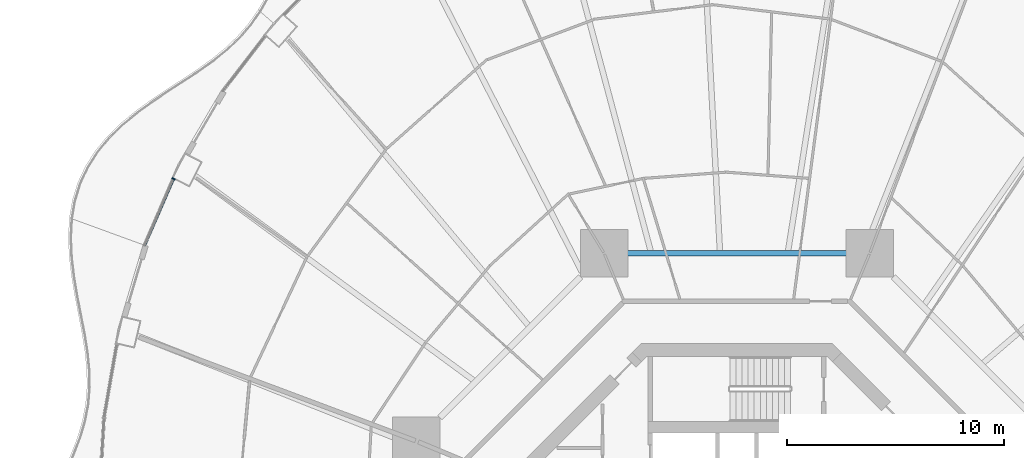
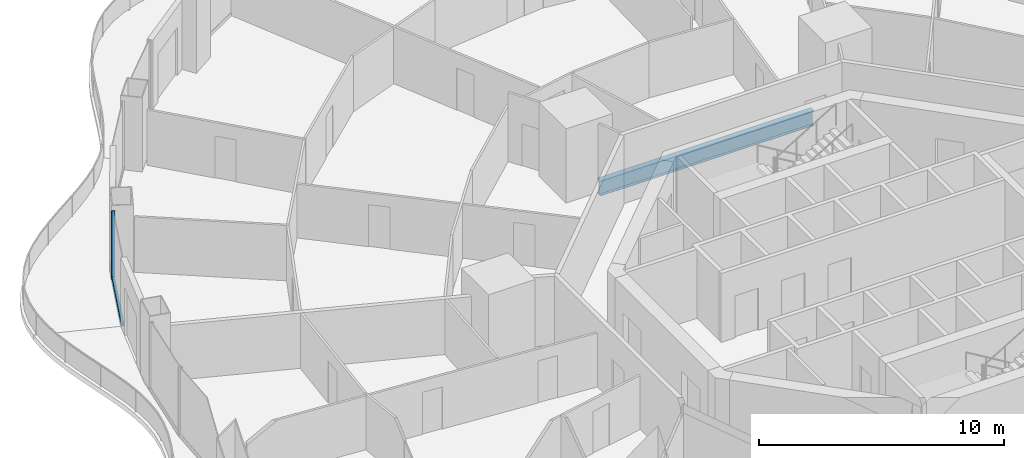
# One storey, part 7 of 22: 2 members, 1 beam, 1 element without a shape of its own.
"""IFC4 building model written with IfcOpenShell, lengths in metres."""

from ifc_helpers import new_model, si_unit, direction, frame, origin, origin_2d, place, context, subcontext, project, spatial, rectangle, i_section, extrude, material, layer, layer_set, material_profile, profile_set, type_object, element, aggregate, save


model = new_model("IFC4")

# Units and contexts
model_context = context("Model", 3, precision=1e-05, world=origin(), true_north=direction((0.0, 1.0)))
body_context = subcontext(model_context, "Body", "Model", "MODEL_VIEW")
ifc_project = project(units=[si_unit("LENGTHUNIT", "METRE"), si_unit("AREAUNIT", "SQUARE_METRE"), si_unit("VOLUMEUNIT", "CUBIC_METRE"), si_unit("PLANEANGLEUNIT", "RADIAN"), si_unit("MASSUNIT", "GRAM", prefix="KILO")], contexts=[model_context])

# Site, building, storey
site_placement = place(None, origin())
site = spatial("IfcSite", under=ifc_project, at=site_placement, CompositionType="ELEMENT")
building_placement = place(site_placement, origin())
building = spatial("IfcBuilding", under=site, at=building_placement, Name="Nagisa Residences", CompositionType="ELEMENT")
storey_placement = place(building_placement, frame((0.0, 0.0, 73.300048828125)))
storey = spatial("IfcBuildingStorey", under=building, at=storey_placement, Name="L17", CompositionType="ELEMENT", Elevation=73.300048828125)

# Curtain wall, members
ifc_material_1 = material(Name="Concrete-coloured aluminium curtain wall system", Category="concrete")
ifc_layer = layer(ifc_material_1, 0.159912109375)
ifc_layer_set = layer_set([ifc_layer], Name="CW1 CURTAIN WALL")
curtain_wall_type = type_object("IfcCurtainWallType", Name="CW1 CURTAIN WALL", PredefinedType="NOTDEFINED", material=ifc_layer_set)
curtain_wall_placement = place(storey_placement, origin())
curtain_wall = element("IfcCurtainWall", 1, at=curtain_wall_placement, inside=storey, type_object=curtain_wall_type, Name="cw:CW1:L17:20", PredefinedType="NOTDEFINED")
ifc_material_2 = material(Name="Concrete-coloured aluminium", Category="concrete")
ifc_material_profile_1 = material_profile(ifc_material_2, rectangle(XDim=0.159912109375, YDim=0.06005859375, at=origin_2d()), Name="CW1 MULLION 160x60")
ifc_profile_set_1 = profile_set([ifc_material_profile_1], Name="Concrete-coloured aluminium")
member_type_1 = type_object("IfcMemberType", Name="CW1 MULLION 160x60", PredefinedType="MULLION", material=ifc_profile_set_1)
member_1_placement = place(storey_placement, frame((-25.9814453125, 18.219482421875, 0.0), z_axis=(0.0, 0.0, 1.0), x_axis=(0.917543276295, -0.397635934147, 0.0)))
member_1 = element("IfcMember", 2, at=member_1_placement, type_object=member_type_1, Name="CW1 mullion", PredefinedType="MULLION", context=body_context, shape_type="SweptSolid", body=[
    extrude(rectangle(XDim=0.159912109375, YDim=0.06005859375, at=origin_2d()), origin(), (0.0, 0.0, 1.0), 3.43994140625),
])
ifc_material_3 = material(Name="Concrete-coloured aluminium", Category="concrete")
ifc_material_profile_2 = material_profile(ifc_material_3, rectangle(XDim=0.1201171875, YDim=0.14990234375, at=origin_2d()), Name="CW1 TRANSOM 120x150")
ifc_profile_set_2 = profile_set([ifc_material_profile_2], Name="Concrete-coloured aluminium")
member_type_2 = type_object("IfcMemberType", Name="CW1 TRANSOM 120x150", PredefinedType="USERDEFINED", material=ifc_profile_set_2)
member_2_placement = place(storey_placement, frame((-25.9697265625, 18.2470703125, 0.074951171875), z_axis=(-0.397621629246, -0.917549475481, 0.0), x_axis=(0.917549475481, -0.397621629246, 0.0)))
member_2 = element("IfcMember", 3, at=member_2_placement, type_object=member_type_2, Name="CW1 transom", ObjectType="TRANSOM", PredefinedType="USERDEFINED", context=body_context, shape_type="SweptSolid", body=[
    extrude(rectangle(XDim=0.1201171875, YDim=0.14990234375, at=origin_2d()), origin(), (0.0, 0.0, 1.0), 3.37939453125),
])
aggregate(curtain_wall, [member_1, member_2])

# Beam
ifc_material_4 = material(Name="Steel ASTM A572 Gr 50", Category="steel")
ifc_material_profile_3 = material_profile(ifc_material_4, i_section(OverallWidth=0.264892578125, OverallDepth=0.7529296875, WebThickness=0.01318359375, FlangeThickness=0.01708984375, at=origin_2d()), Name="W760x147")
ifc_profile_set_3 = profile_set([ifc_material_profile_3], Name="Steel ASTM A572 Gr 50")
beam_type = type_object("IfcBeamType", Name="Inner ring beam W760x147", PredefinedType="BEAM", material=ifc_profile_set_3)
beam_placement = place(storey_placement, frame((5.04296875, 14.781982421875, -0.636474609375), z_axis=(-1.0, 0.0, 0.0), x_axis=(0.0, -1.0, 0.0)))
element("IfcBeam", 4, at=beam_placement, inside=storey, type_object=beam_type, Name="beam:L17:ib2", PredefinedType="BEAM", context=body_context, shape_type="SweptSolid", body=[
    extrude(i_section(OverallWidth=0.264892578125, OverallDepth=0.7529296875, WebThickness=0.01318359375, FlangeThickness=0.01708984375, at=origin_2d()), origin(), (0.0, 0.0, 1.0), 10.0859375),
])

save(model, "model.ifc")
